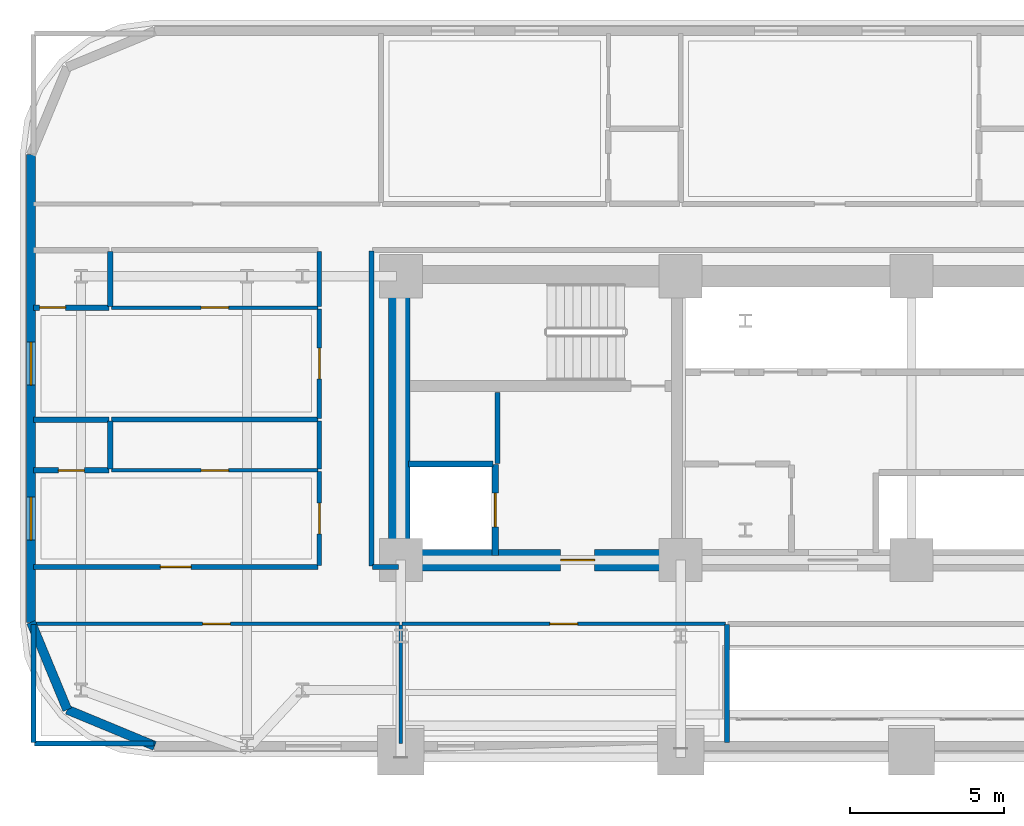
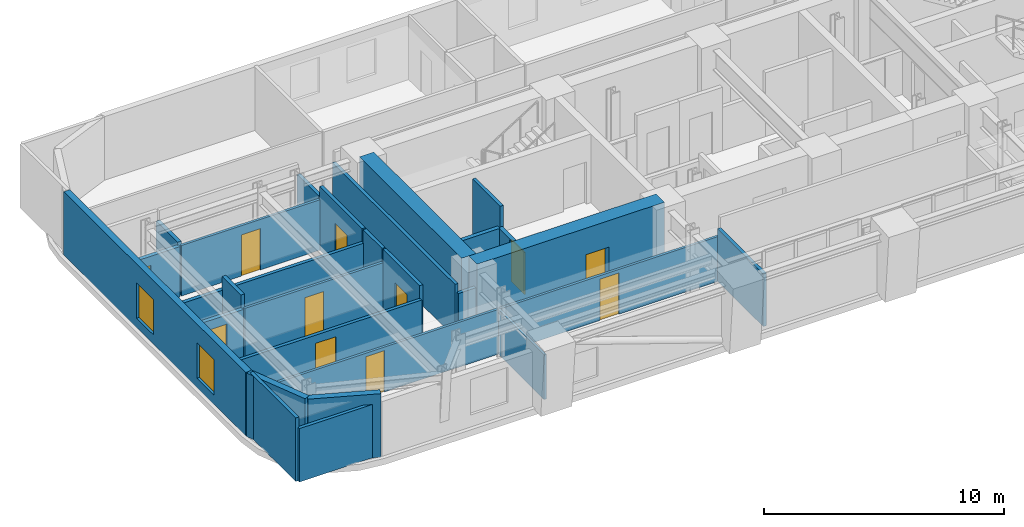
# One storey, part 8 of 15: 29 walls, 11 doors, 2 windows, 13 openings.
"""IFC4 building model written with IfcOpenShell, lengths in metres."""

from ifc_helpers import new_model, si_unit, direction, frame, frame_2d, origin, place, context, subcontext, project, spatial, rectangle, extrude, material, layer, layer_set, type_object, element, fill, save


model = new_model("IFC4")

# Units and contexts
model_context = context("Model", 3, precision=1e-05, world=origin(), true_north=direction((0.0, 1.0)))
body_context = subcontext(model_context, "Body", "Model", "MODEL_VIEW")
ifc_project = project(units=[si_unit("LENGTHUNIT", "METRE"), si_unit("AREAUNIT", "SQUARE_METRE"), si_unit("VOLUMEUNIT", "CUBIC_METRE"), si_unit("PLANEANGLEUNIT", "RADIAN"), si_unit("MASSUNIT", "GRAM", prefix="KILO")], contexts=[model_context])

# Site, building, storey
site_placement = place(None, origin())
site = spatial("IfcSite", under=ifc_project, at=site_placement, CompositionType="ELEMENT")
building_placement = place(site_placement, origin())
building = spatial("IfcBuilding", under=site, at=building_placement, Name="Zarnavel Station Tower", CompositionType="ELEMENT")
storey_placement = place(building_placement, frame((0.0, 0.0, 50.0)))
storey = spatial("IfcBuildingStorey", under=building, at=storey_placement, Name="L13", CompositionType="ELEMENT", Elevation=50.0)

# Wall, opening, door
ifc_material_1 = material(Name="Concrete C60/75", Category="concrete")
ifc_layer_1 = layer(ifc_material_1, 0.699951171875)
ifc_layer_set_1 = layer_set([ifc_layer_1], Name="CW_700")
wall_type_1 = type_object("IfcWallType", Name="CW_700", PredefinedType="SHEAR", material=ifc_layer_set_1)
wall_1_placement = place(storey_placement, frame((21.179931640625, 27.820068359375, 0.0), z_axis=(0.0, 0.0, 1.0), x_axis=(-1.0, 0.0, 0.0)))
wall_1 = element("IfcWall", 1, at=wall_1_placement, inside=storey, type_object=wall_type_1, Name="L13 Rear Core Shear Wall S-W", PredefinedType="SHEAR", context=body_context, shape_type="SweptSolid", body=[
    extrude(rectangle(XDim=9.030029296875, YDim=0.699951171875, at=frame_2d((4.51513671875, 0.0))), origin(), (0.0, 0.0, 1.0), 3.5),
])
opening_1_placement = place(wall_1_placement, frame((2.679931640625, 0.0, 0.0)))
opening_1 = element("IfcOpeningElement", 2, at=opening_1_placement, cuts=wall_1, Name="Opening FD01", PredefinedType="OPENING", context=body_context, shape_type="SweptSolid", body=[
    extrude(rectangle(XDim=1.10009765625, YDim=2.14990234375, at=frame_2d((0.550048828125, 1.074951171875))), frame((0.0, 0.35986328125, 0.0), z_axis=(0.0, -1.0, 0.0), x_axis=(1.0, 0.0, 0.0)), (0.0, 0.0, 1.0), 0.719970703125),
])
ifc_material_2 = material(Name="Painted Galvanised Steel and Hardwood Leaf", Category="steel")
door_type_1 = type_object("IfcDoorType", Name="ID_STAIR_1100", OperationType="NOTDEFINED", PredefinedType="DOOR", material=ifc_material_2)
door_1_placement = place(opening_1_placement, origin())
door_1 = element("IfcDoor", 3, at=door_1_placement, inside=storey, type_object=door_type_1, Name="L13 West Firefighting Lobby Door", OperationType="SINGLE_SWING_RIGHT", OverallHeight=2.14990234375, OverallWidth=1.10009765625, PredefinedType="DOOR", context=body_context, shape_type="SweptSolid", body=[
    extrude(rectangle(XDim=1.10009765625, YDim=2.14990234375, at=frame_2d((0.550048828125, 1.074951171875))), frame((0.0, 0.02490234375, 0.0), z_axis=(0.0, -1.0, 0.0), x_axis=(1.0, 0.0, 0.0)), (0.0, 0.0, 1.0), 0.050048828125),
])
fill(opening_1, door_1)

# Wall
wall_2_placement = place(storey_placement, frame((12.14990234375, 28.169921875, 0.0), z_axis=(0.0, 0.0, 1.0), x_axis=(0.0, 1.0, 0.0)))
element("IfcWall", 4, at=wall_2_placement, inside=storey, type_object=wall_type_1, Name="L13 Rear Core Shear Wall W", PredefinedType="SHEAR", context=body_context, shape_type="SweptSolid", body=[
    extrude(rectangle(XDim=8.530029296875, YDim=0.699951171875, at=frame_2d((4.26513671875, 0.0))), origin(), (0.0, 0.0, 1.0), 3.5),
])

# Wall, openings, windows
ifc_material_3 = material(Name="Precast concrete C45/55 (Dark Basalt Finish)", Category="masonry")
ifc_layer_2 = layer(ifc_material_3, 0.300048828125)
ifc_layer_set_2 = layer_set([ifc_layer_2], Name="EW_BASALT_300")
wall_type_2 = type_object("IfcWallType", Name="EW_BASALT_300", PredefinedType="SOLIDWALL", material=ifc_layer_set_2)
wall_3_placement = place(storey_placement, frame((0.179931640625, 25.800048828125, 0.0), z_axis=(0.0, 0.0, 1.0), x_axis=(0.0, 1.0, 0.0)))
wall_3 = element("IfcWall", 5, at=wall_3_placement, inside=storey, type_object=wall_type_2, Name="L13 Exterior Basalt Masonry Frame Wall 09", PredefinedType="SOLIDWALL", context=body_context, shape_type="SweptSolid", body=[
    extrude(rectangle(XDim=15.199951171875, YDim=0.300048828125, at=frame_2d((7.60009765625, 0.0))), origin(), (0.0, 0.0, 1.0), 3.239990234375),
])
opening_2_placement = place(wall_3_placement, frame((2.67041015625, 0.0, 0.47998046875)))
opening_2 = element("IfcOpeningElement", 6, at=opening_2_placement, cuts=wall_3, Name="Opening WN01", PredefinedType="OPENING", context=body_context, shape_type="SweptSolid", body=[
    extrude(rectangle(XDim=1.39990234375, YDim=1.800048828125, at=frame_2d((0.699951171875, 0.89990234375))), frame((0.0, 0.159912109375, 0.0), z_axis=(0.0, -1.0, 0.0), x_axis=(1.0, 0.0, 0.0)), (0.0, 0.0, 1.0), 0.320068359375),
])
opening_3_placement = place(wall_3_placement, frame((7.708984375, 0.0, 0.47998046875)))
opening_3 = element("IfcOpeningElement", 7, at=opening_3_placement, cuts=wall_3, Name="Opening WN01", PredefinedType="OPENING", context=body_context, shape_type="SweptSolid", body=[
    extrude(rectangle(XDim=1.39990234375, YDim=1.800048828125, at=frame_2d((0.699951171875, 0.89990234375))), frame((0.0, 0.159912109375, 0.0), z_axis=(0.0, -1.0, 0.0), x_axis=(1.0, 0.0, 0.0)), (0.0, 0.0, 1.0), 0.320068359375),
])
ifc_material_4 = material(Name="Thermally Broken Black Aluminium and Low-E Dark Glass", Category="aluminium")
window_type = type_object("IfcWindowType", Name="WN_1400x1800", PartitioningType="DOUBLE_PANEL_VERTICAL", PredefinedType="WINDOW", material=ifc_material_4)
window_1_placement = place(opening_2_placement, origin())
window_1 = element("IfcWindow", 8, at=window_1_placement, inside=storey, type_object=window_type, Name="L13 Recessed Facade Window 01", OverallHeight=1.800048828125, OverallWidth=1.39990234375, PartitioningType="SINGLE_PANEL", PredefinedType="WINDOW", context=body_context, shape_type="SweptSolid", body=[
    extrude(rectangle(XDim=1.39990234375, YDim=1.800048828125, at=frame_2d((0.699951171875, 0.89990234375))), frame((0.0, 0.030029296875, 0.0), z_axis=(0.0, -1.0, 0.0), x_axis=(1.0, 0.0, 0.0)), (0.0, 0.0, 1.0), 0.06005859375),
])
fill(opening_2, window_1)
window_2_placement = place(opening_3_placement, origin())
window_2 = element("IfcWindow", 9, at=window_2_placement, inside=storey, type_object=window_type, Name="L13 Recessed Facade Window 02", OverallHeight=1.800048828125, OverallWidth=1.39990234375, PartitioningType="SINGLE_PANEL", PredefinedType="WINDOW", context=body_context, shape_type="SweptSolid", body=[
    extrude(rectangle(XDim=1.39990234375, YDim=1.800048828125, at=frame_2d((0.699951171875, 0.89990234375))), frame((0.0, 0.030029296875, 0.0), z_axis=(0.0, -1.0, 0.0), x_axis=(1.0, 0.0, 0.0)), (0.0, 0.0, 1.0), 0.06005859375),
])
fill(opening_3, window_2)

# Walls
for number, where, z_axis, x_axis, name in (
    (10, (1.357421875, 22.95751953125, 0.0), (0.0, 0.0, 1.0), (-0.382704529509, 0.923870793506, 0.0), "L13 Exterior Basalt Masonry Frame Wall 10"),
    (11, (4.199951171875, 21.780029296875, 0.0), (0.0, 0.0, 1.0), (-0.923870793506, 0.382704529509, 0.0), "L13 Exterior Basalt Masonry Frame Wall 11"),
):
    element("IfcWall", number, at=place(storey_placement, frame(where, z_axis=z_axis, x_axis=x_axis)), inside=storey, type_object=wall_type_2, Name=name, PredefinedType="SOLIDWALL", context=body_context, shape_type="SweptSolid", body=[
        extrude(rectangle(XDim=3.07666015625, YDim=0.300048828125, at=frame_2d((1.538330078125, 0.0))), origin(), (0.0, 0.0, 1.0), 3.239990234375),
    ])

# Wall, opening, door
ifc_material_5 = material(Name="Gypsum Twin-Stud Acoustic Fire Partition", Category="concrete")
ifc_layer_3 = layer(ifc_material_5, 0.159912109375)
ifc_layer_set_3 = layer_set([ifc_layer_3], Name="PT_DEMISE_160")
wall_type_3 = type_object("IfcWallType", Name="PT_DEMISE_160", PredefinedType="PARTITIONING", material=ifc_layer_set_3)
wall_4_placement = place(storey_placement, frame((0.260009765625, 27.60009765625, 0.0), z_axis=(0.0, 0.0, 1.0), x_axis=(1.0, 0.0, 0.0)))
wall_4 = element("IfcWall", 12, at=wall_4_placement, inside=storey, type_object=wall_type_3, Name="L13 Partition COR-S-FNW1R", PredefinedType="PARTITIONING", context=body_context, shape_type="SweptSolid", body=[
    extrude(rectangle(XDim=9.25, YDim=0.159912109375, at=frame_2d((4.625, 0.0))), origin(), (0.0, 0.0, 1.0), 2.570068359375),
])
opening_4_placement = place(wall_4_placement, frame((4.125, 0.0, 0.0)))
opening_4 = element("IfcOpeningElement", 13, at=opening_4_placement, cuts=wall_4, Name="Opening FD02", PredefinedType="OPENING", context=body_context, shape_type="SweptSolid", body=[
    extrude(rectangle(XDim=1.0, YDim=2.14990234375, at=frame_2d((0.5, 1.074951171875))), frame((0.0, 0.08984375, 0.0), z_axis=(0.0, -1.0, 0.0), x_axis=(1.0, 0.0, 0.0)), (0.0, 0.0, 1.0), 0.179931640625),
])
ifc_material_6 = material(Name="Painted Galvanised Steel and Hardwood Leaf", Category="steel")
door_type_2 = type_object("IfcDoorType", Name="ID_ENTRY_1000", OperationType="NOTDEFINED", PredefinedType="DOOR", material=ifc_material_6)
door_2_placement = place(opening_4_placement, origin())
door_2 = element("IfcDoor", 14, at=door_2_placement, inside=storey, type_object=door_type_2, Name="L13 Door COR-S-FNW1R", OperationType="SINGLE_SWING_RIGHT", OverallHeight=2.14990234375, OverallWidth=1.0, PredefinedType="DOOR", context=body_context, shape_type="SweptSolid", body=[
    extrude(rectangle(XDim=1.0, YDim=2.14990234375, at=frame_2d((0.5, 1.074951171875))), frame((0.0, 0.02490234375, 0.0), z_axis=(0.0, -1.0, 0.0), x_axis=(1.0, 0.0, 0.0)), (0.0, 0.0, 1.0), 0.050048828125),
])
fill(opening_4, door_2)

wall_5_placement = place(storey_placement, frame((9.550048828125, 27.639892578125, 0.0), z_axis=(0.0, 0.0, 1.0), x_axis=(0.0, 1.0, 0.0)))
wall_5 = element("IfcWall", 15, at=wall_5_placement, inside=storey, type_object=wall_type_3, Name="L13 Partition COR-W-FNW1R", PredefinedType="PARTITIONING", context=body_context, shape_type="SweptSolid", body=[
    extrude(rectangle(XDim=3.06103515625, YDim=0.159912109375, at=frame_2d((1.530517578125, 0.0))), origin(), (0.0, 0.0, 1.0), 3.239990234375),
])
opening_5_placement = place(wall_5_placement, frame((1.030517578125, 0.0, 0.0)))
opening_5 = element("IfcOpeningElement", 16, at=opening_5_placement, cuts=wall_5, Name="Opening FD02", PredefinedType="OPENING", context=body_context, shape_type="SweptSolid", body=[
    extrude(rectangle(XDim=1.0, YDim=2.14990234375, at=frame_2d((0.5, 1.074951171875))), frame((0.0, 0.08984375, 0.0), z_axis=(0.0, -1.0, 0.0), x_axis=(1.0, 0.0, 0.0)), (0.0, 0.0, 1.0), 0.179931640625),
])
door_3_placement = place(opening_5_placement, origin())
door_3 = element("IfcDoor", 17, at=door_3_placement, inside=storey, type_object=door_type_2, Name="L13 Door COR-W-FNW1R", OperationType="SINGLE_SWING_RIGHT", OverallHeight=2.14990234375, OverallWidth=1.0, PredefinedType="DOOR", context=body_context, shape_type="SweptSolid", body=[
    extrude(rectangle(XDim=1.0, YDim=2.14990234375, at=frame_2d((0.5, 1.074951171875))), frame((0.0, 0.02490234375, 0.0), z_axis=(0.0, -1.0, 0.0), x_axis=(1.0, 0.0, 0.0)), (0.0, 0.0, 1.0), 0.050048828125),
])
fill(opening_5, door_3)

# Wall
wall_6_placement = place(storey_placement, frame((9.550048828125, 30.781005859375, 0.0), z_axis=(0.0, 0.0, 1.0), x_axis=(0.0, 1.0, 0.0)))
element("IfcWall", 18, at=wall_6_placement, inside=storey, type_object=wall_type_3, Name="L13 Partition COR-W-FNW1S", PredefinedType="PARTITIONING", context=body_context, shape_type="SweptSolid", body=[
    extrude(rectangle(XDim=1.570068359375, YDim=0.159912109375, at=frame_2d((0.78515625, 0.0))), origin(), (0.0, 0.0, 1.0), 3.239990234375),
])

# Wall, opening, door
wall_7_placement = place(storey_placement, frame((9.550048828125, 32.430908203125, 0.0), z_axis=(0.0, 0.0, 1.0), x_axis=(0.0, 1.0, 0.0)))
wall_7 = element("IfcWall", 19, at=wall_7_placement, inside=storey, type_object=wall_type_3, Name="L13 Partition COR-W-FNW2R", PredefinedType="PARTITIONING", context=body_context, shape_type="SweptSolid", body=[
    extrude(rectangle(XDim=3.55615234375, YDim=0.159912109375, at=frame_2d((1.778076171875, 0.0))), origin(), (0.0, 0.0, 1.0), 3.239990234375),
])
opening_6_placement = place(wall_7_placement, frame((1.278076171875, 0.0, 0.0)))
opening_6 = element("IfcOpeningElement", 20, at=opening_6_placement, cuts=wall_7, Name="Opening FD02", PredefinedType="OPENING", context=body_context, shape_type="SweptSolid", body=[
    extrude(rectangle(XDim=1.0, YDim=2.14990234375, at=frame_2d((0.5, 1.074951171875))), frame((0.0, 0.08984375, 0.0), z_axis=(0.0, -1.0, 0.0), x_axis=(1.0, 0.0, 0.0)), (0.0, 0.0, 1.0), 0.179931640625),
])
door_4_placement = place(opening_6_placement, origin())
door_4 = element("IfcDoor", 21, at=door_4_placement, inside=storey, type_object=door_type_2, Name="L13 Door COR-W-FNW2R", OperationType="SINGLE_SWING_LEFT", OverallHeight=2.14990234375, OverallWidth=1.0, PredefinedType="DOOR", context=body_context, shape_type="SweptSolid", body=[
    extrude(rectangle(XDim=1.0, YDim=2.14990234375, at=frame_2d((0.5, 1.074951171875))), frame((0.0, 0.02490234375, 0.0), z_axis=(0.0, -1.0, 0.0), x_axis=(1.0, 0.0, 0.0)), (0.0, 0.0, 1.0), 0.050048828125),
])
fill(opening_6, door_4)

# Walls
wall_8_placement = place(storey_placement, frame((9.550048828125, 36.06689453125, 0.0), z_axis=(0.0, 0.0, 1.0), x_axis=(0.0, 1.0, 0.0)))
element("IfcWall", 22, at=wall_8_placement, inside=storey, type_object=wall_type_3, Name="L13 Partition COR-W-FNW2S", PredefinedType="PARTITIONING", context=body_context, shape_type="SweptSolid", body=[
    extrude(rectangle(XDim=1.793212890625, YDim=0.159912109375, at=frame_2d((0.896484375, 0.0))), origin(), (0.0, 0.0, 1.0), 2.719970703125),
])
wall_9_placement = place(storey_placement, frame((2.800048828125, 32.39111328125, 0.0), z_axis=(0.0, 0.0, 1.0), x_axis=(1.0, 0.0, 0.0)))
element("IfcWall", 23, at=wall_9_placement, inside=storey, type_object=wall_type_3, Name="L13 Partition FNW1S-FNW2R", PredefinedType="PARTITIONING", context=body_context, shape_type="SweptSolid", body=[
    extrude(rectangle(XDim=6.7099609375, YDim=0.159912109375, at=frame_2d((3.35498046875, 0.0))), origin(), (0.0, 0.0, 1.0), 2.570068359375),
])
wall_10_placement = place(storey_placement, frame((15.35009765625, 30.9599609375, 0.0), z_axis=(0.0, 0.0, 1.0), x_axis=(0.0, 1.0, 0.0)))
element("IfcWall", 24, at=wall_10_placement, inside=storey, type_object=wall_type_3, Name="L13 Enclosure Wall FFL1", PredefinedType="PARTITIONING", context=body_context, shape_type="SweptSolid", body=[
    extrude(rectangle(XDim=2.31005859375, YDim=0.159912109375, at=frame_2d((1.155029296875, 0.0))), origin(), (0.0, 0.0, 1.0), 3.239990234375),
])
wall_11_placement = place(storey_placement, frame((11.280029296875, 27.60009765625, 0.0), z_axis=(0.0, 0.0, 1.0), x_axis=(1.0, 0.0, 0.0)))
element("IfcWall", 25, at=wall_11_placement, inside=storey, type_object=wall_type_3, Name="L13 Enclosure Wall COR-S", PredefinedType="PARTITIONING", context=body_context, shape_type="SweptSolid", body=[
    extrude(rectangle(XDim=0.840087890625, YDim=0.159912109375, at=frame_2d((0.419921875, 0.0))), origin(), (0.0, 0.0, 1.0), 2.280029296875),
])
wall_12_placement = place(storey_placement, frame((11.25, 27.6298828125, 0.0), z_axis=(0.0, 0.0, 1.0), x_axis=(0.0, 1.0, 0.0)))
element("IfcWall", 26, at=wall_12_placement, inside=storey, type_object=wall_type_3, Name="L13 Enclosure Wall COR-W", PredefinedType="PARTITIONING", context=body_context, shape_type="SweptSolid", body=[
    extrude(rectangle(XDim=10.240234375, YDim=0.159912109375, at=frame_2d((5.1201171875, 0.0))), origin(), (0.0, 0.0, 1.0), 2.719970703125),
])
wall_13_placement = place(storey_placement, frame((0.2900390625, 21.860107421875, 0.0), z_axis=(0.0, 0.0, 1.0), x_axis=(1.0, 0.0, 0.0)))
element("IfcWall", 27, at=wall_13_placement, inside=storey, type_object=wall_type_3, Name="L13 Enclosure Wall Z1BIZ", PredefinedType="PARTITIONING", context=body_context, shape_type="SweptSolid", body=[
    extrude(rectangle(XDim=3.8798828125, YDim=0.159912109375, at=frame_2d((1.93994140625, 0.0))), origin(), (0.0, 0.0, 1.0), 2.719970703125),
])
wall_14_placement = place(storey_placement, frame((0.260009765625, 21.889892578125, 0.0), z_axis=(0.0, 0.0, 1.0), x_axis=(0.0, 1.0, 0.0)))
element("IfcWall", 28, at=wall_14_placement, inside=storey, type_object=wall_type_3, Name="L13 Enclosure Wall Z1BIZ", PredefinedType="PARTITIONING", context=body_context, shape_type="SweptSolid", body=[
    extrude(rectangle(XDim=3.830078125, YDim=0.159912109375, at=frame_2d((1.9150390625, 0.0))), origin(), (0.0, 0.0, 1.0), 3.239990234375),
])
wall_15_placement = place(storey_placement, frame((22.800048828125, 21.889892578125, 0.0), z_axis=(0.0, 0.0, 1.0), x_axis=(0.0, 1.0, 0.0)))
element("IfcWall", 29, at=wall_15_placement, inside=storey, type_object=wall_type_3, Name="L13 Enclosure Wall Z1BRD", PredefinedType="PARTITIONING", context=body_context, shape_type="SweptSolid", body=[
    extrude(rectangle(XDim=3.830078125, YDim=0.159912109375, at=frame_2d((1.9150390625, 0.0))), origin(), (0.0, 0.0, 1.0), 2.679931640625),
])

# Wall, opening, door
ifc_material_7 = material(Name="Gypsum Metal-Stud Interior Partition", Category="concrete")
ifc_layer_4 = layer(ifc_material_7, 0.1201171875)
ifc_layer_set_4 = layer_set([ifc_layer_4], Name="PT_ROOM_120")
wall_type_4 = type_object("IfcWallType", Name="PT_ROOM_120", PredefinedType="PARTITIONING", material=ifc_layer_set_4)
wall_16_placement = place(storey_placement, frame((0.260009765625, 25.75, 0.0), z_axis=(0.0, 0.0, 1.0), x_axis=(1.0, 0.0, 0.0)))
wall_16 = element("IfcWall", 30, at=wall_16_placement, inside=storey, type_object=wall_type_4, Name="L13 Partition COR-S-Z1BIZ", PredefinedType="PARTITIONING", context=body_context, shape_type="SweptSolid", body=[
    extrude(rectangle(XDim=11.89990234375, YDim=0.1201171875, at=frame_2d((5.949951171875, 0.0))), origin(), (0.0, 0.0, 1.0), 2.280029296875),
])
opening_7_placement = place(wall_16_placement, frame((5.5, 0.0, 0.0)))
opening_7 = element("IfcOpeningElement", 31, at=opening_7_placement, cuts=wall_16, Name="Opening ID01", PredefinedType="OPENING", context=body_context, shape_type="SweptSolid", body=[
    extrude(rectangle(XDim=0.89990234375, YDim=2.10009765625, at=frame_2d((0.449951171875, 1.050048828125))), frame((0.0, 0.070068359375, 0.0), z_axis=(0.0, -1.0, 0.0), x_axis=(1.0, 0.0, 0.0)), (0.0, 0.0, 1.0), 0.14013671875),
])
ifc_material_8 = material(Name="Painted Galvanised Steel and Hardwood Leaf", Category="steel")
door_type_3 = type_object("IfcDoorType", Name="ID_ROOM_900", OperationType="NOTDEFINED", PredefinedType="DOOR", material=ifc_material_8)
door_5_placement = place(opening_7_placement, origin())
door_5 = element("IfcDoor", 32, at=door_5_placement, inside=storey, type_object=door_type_3, Name="L13 Door COR-S-Z1BIZ", OperationType="SINGLE_SWING_RIGHT", OverallHeight=2.10009765625, OverallWidth=0.89990234375, PredefinedType="DOOR", context=body_context, shape_type="SweptSolid", body=[
    extrude(rectangle(XDim=0.89990234375, YDim=2.10009765625, at=frame_2d((0.449951171875, 1.050048828125))), frame((0.0, 0.02490234375, 0.0), z_axis=(0.0, -1.0, 0.0), x_axis=(1.0, 0.0, 0.0)), (0.0, 0.0, 1.0), 0.050048828125),
])
fill(opening_7, door_5)

wall_17_placement = place(storey_placement, frame((12.239990234375, 25.75, 0.0), z_axis=(0.0, 0.0, 1.0), x_axis=(1.0, 0.0, 0.0)))
wall_17 = element("IfcWall", 33, at=wall_17_placement, inside=storey, type_object=wall_type_4, Name="L13 Partition COR-S-Z1BRD", PredefinedType="PARTITIONING", context=body_context, shape_type="SweptSolid", body=[
    extrude(rectangle(XDim=10.52001953125, YDim=0.1201171875, at=frame_2d((5.260009765625, 0.0))), origin(), (0.0, 0.0, 1.0), 2.280029296875),
])
opening_8_placement = place(wall_17_placement, frame((4.81005859375, 0.0, 0.0)))
opening_8 = element("IfcOpeningElement", 34, at=opening_8_placement, cuts=wall_17, Name="Opening ID01", PredefinedType="OPENING", context=body_context, shape_type="SweptSolid", body=[
    extrude(rectangle(XDim=0.89990234375, YDim=2.10009765625, at=frame_2d((0.449951171875, 1.050048828125))), frame((0.0, 0.070068359375, 0.0), z_axis=(0.0, -1.0, 0.0), x_axis=(1.0, 0.0, 0.0)), (0.0, 0.0, 1.0), 0.14013671875),
])
door_6_placement = place(opening_8_placement, origin())
door_6 = element("IfcDoor", 35, at=door_6_placement, inside=storey, type_object=door_type_3, Name="L13 Door COR-S-Z1BRD", OperationType="SINGLE_SWING_LEFT", OverallHeight=2.10009765625, OverallWidth=0.89990234375, PredefinedType="DOOR", context=body_context, shape_type="SweptSolid", body=[
    extrude(rectangle(XDim=0.89990234375, YDim=2.10009765625, at=frame_2d((0.449951171875, 1.050048828125))), frame((0.0, 0.02490234375, 0.0), z_axis=(0.0, -1.0, 0.0), x_axis=(1.0, 0.0, 0.0)), (0.0, 0.0, 1.0), 0.050048828125),
])
fill(opening_8, door_6)

wall_18_placement = place(storey_placement, frame((2.800048828125, 30.740966796875, 0.0), z_axis=(0.0, 0.0, 1.0), x_axis=(1.0, 0.0, 0.0)))
wall_18 = element("IfcWall", 36, at=wall_18_placement, inside=storey, type_object=wall_type_4, Name="L13 Partition FNW1R-FNW1S", PredefinedType="PARTITIONING", context=body_context, shape_type="SweptSolid", body=[
    extrude(rectangle(XDim=6.7099609375, YDim=0.1201171875, at=frame_2d((3.35498046875, 0.0))), origin(), (0.0, 0.0, 1.0), 2.570068359375),
])
opening_9_placement = place(wall_18_placement, frame((2.905029296875, 0.0, 0.0)))
opening_9 = element("IfcOpeningElement", 37, at=opening_9_placement, cuts=wall_18, Name="Opening ID01", PredefinedType="OPENING", context=body_context, shape_type="SweptSolid", body=[
    extrude(rectangle(XDim=0.89990234375, YDim=2.10009765625, at=frame_2d((0.449951171875, 1.050048828125))), frame((0.0, 0.070068359375, 0.0), z_axis=(0.0, -1.0, 0.0), x_axis=(1.0, 0.0, 0.0)), (0.0, 0.0, 1.0), 0.14013671875),
])
door_7_placement = place(opening_9_placement, origin())
door_7 = element("IfcDoor", 38, at=door_7_placement, inside=storey, type_object=door_type_3, Name="L13 Door FNW1R-FNW1S", OperationType="SINGLE_SWING_RIGHT", OverallHeight=2.10009765625, OverallWidth=0.89990234375, PredefinedType="DOOR", context=body_context, shape_type="SweptSolid", body=[
    extrude(rectangle(XDim=0.89990234375, YDim=2.10009765625, at=frame_2d((0.449951171875, 1.050048828125))), frame((0.0, 0.02490234375, 0.0), z_axis=(0.0, -1.0, 0.0), x_axis=(1.0, 0.0, 0.0)), (0.0, 0.0, 1.0), 0.050048828125),
])
fill(opening_9, door_7)

wall_19_placement = place(storey_placement, frame((2.800048828125, 36.027099609375, 0.0), z_axis=(0.0, 0.0, 1.0), x_axis=(1.0, 0.0, 0.0)))
wall_19 = element("IfcWall", 39, at=wall_19_placement, inside=storey, type_object=wall_type_4, Name="L13 Partition FNW2R-FNW2S", PredefinedType="PARTITIONING", context=body_context, shape_type="SweptSolid", body=[
    extrude(rectangle(XDim=6.7099609375, YDim=0.1201171875, at=frame_2d((3.35498046875, 0.0))), origin(), (0.0, 0.0, 1.0), 2.570068359375),
])
opening_10_placement = place(wall_19_placement, frame((2.905029296875, 0.0, 0.0)))
opening_10 = element("IfcOpeningElement", 40, at=opening_10_placement, cuts=wall_19, Name="Opening ID01", PredefinedType="OPENING", context=body_context, shape_type="SweptSolid", body=[
    extrude(rectangle(XDim=0.89990234375, YDim=2.10009765625, at=frame_2d((0.449951171875, 1.050048828125))), frame((0.0, 0.070068359375, 0.0), z_axis=(0.0, -1.0, 0.0), x_axis=(1.0, 0.0, 0.0)), (0.0, 0.0, 1.0), 0.14013671875),
])
door_8_placement = place(opening_10_placement, origin())
door_8 = element("IfcDoor", 41, at=door_8_placement, inside=storey, type_object=door_type_3, Name="L13 Door FNW2R-FNW2S", OperationType="SINGLE_SWING_RIGHT", OverallHeight=2.10009765625, OverallWidth=0.89990234375, PredefinedType="DOOR", context=body_context, shape_type="SweptSolid", body=[
    extrude(rectangle(XDim=0.89990234375, YDim=2.10009765625, at=frame_2d((0.449951171875, 1.050048828125))), frame((0.0, 0.02490234375, 0.0), z_axis=(0.0, -1.0, 0.0), x_axis=(1.0, 0.0, 0.0)), (0.0, 0.0, 1.0), 0.050048828125),
])
fill(opening_10, door_8)

# Wall
wall_20_placement = place(storey_placement, frame((12.199951171875, 21.860107421875, 0.0), z_axis=(0.0, 0.0, 1.0), x_axis=(0.0, 1.0, 0.0)))
element("IfcWall", 42, at=wall_20_placement, inside=storey, type_object=wall_type_4, Name="L13 Partition Z1BIZ-Z1BRD", PredefinedType="PARTITIONING", context=body_context, shape_type="SweptSolid", body=[
    extrude(rectangle(XDim=3.849853515625, YDim=0.1201171875, at=frame_2d((1.9248046875, 0.0))), origin(), (0.0, 0.0, 1.0), 2.280029296875),
])

# Wall, opening, door
ifc_material_9 = material(Name="Precast concrete C45/55 (Fire Shaft Blockwork)", Category="masonry")
ifc_layer_5 = layer(ifc_material_9, 0.199951171875)
ifc_layer_set_5 = layer_set([ifc_layer_5], Name="PT_SHAFT_200")
wall_type_5 = type_object("IfcWallType", Name="PT_SHAFT_200", PredefinedType="PARTITIONING", material=ifc_layer_set_5)
wall_21_placement = place(storey_placement, frame((15.27001953125, 27.969970703125, 0.0), z_axis=(0.0, 0.0, 1.0), x_axis=(0.0, 1.0, 0.0)))
wall_21 = element("IfcWall", 43, at=wall_21_placement, inside=storey, type_object=wall_type_5, Name="L13 Lift FFL-01 Shaft Front Wall", PredefinedType="PARTITIONING", context=body_context, shape_type="SweptSolid", body=[
    extrude(rectangle(XDim=2.9599609375, YDim=0.199951171875, at=frame_2d((1.47998046875, 0.0))), origin(), (0.0, 0.0, 1.0), 2.2119140625),
])
opening_11_placement = place(wall_21_placement, frame((0.929931640625, 0.0, 0.0)))
opening_11 = element("IfcOpeningElement", 44, at=opening_11_placement, cuts=wall_21, Name="Opening LD01", PredefinedType="OPENING", context=body_context, shape_type="SweptSolid", body=[
    extrude(rectangle(XDim=1.10009765625, YDim=2.14990234375, at=frame_2d((0.550048828125, 1.074951171875))), frame((0.0, 0.10986328125, 0.0), z_axis=(0.0, -1.0, 0.0), x_axis=(1.0, 0.0, 0.0)), (0.0, 0.0, 1.0), 0.219970703125),
])
ifc_material_10 = material(Name="Painted Galvanised Steel and Hardwood Leaf", Category="steel")
door_type_4 = type_object("IfcDoorType", Name="LD_FF_1100", OperationType="DOUBLE_DOOR_SLIDING", PredefinedType="DOOR", material=ifc_material_10)
door_9_placement = place(opening_11_placement, origin())
door_9 = element("IfcDoor", 45, at=door_9_placement, inside=storey, type_object=door_type_4, Name="L13 Lift FFL-01 Sliding Landing Door", OperationType="DOUBLE_DOOR_SLIDING", OverallHeight=2.14990234375, OverallWidth=1.10009765625, PredefinedType="DOOR", context=body_context, shape_type="SweptSolid", body=[
    extrude(rectangle(XDim=1.10009765625, YDim=2.14990234375, at=frame_2d((0.550048828125, 1.074951171875))), frame((0.0, 0.02490234375, 0.0), z_axis=(0.0, -1.0, 0.0), x_axis=(1.0, 0.0, 0.0)), (0.0, 0.0, 1.0), 0.050048828125),
])
fill(opening_11, door_9)

# Wall
wall_22_placement = place(storey_placement, frame((12.449951171875, 30.949951171875, 0.0), z_axis=(0.0, 0.0, 1.0), x_axis=(1.0, 0.0, 0.0)))
element("IfcWall", 46, at=wall_22_placement, inside=storey, type_object=wall_type_5, Name="L13 Lift FFL-01 North Shaft Wall", PredefinedType="PARTITIONING", context=body_context, shape_type="SweptSolid", body=[
    extrude(rectangle(XDim=2.75, YDim=0.199951171875, at=frame_2d((1.375, 0.0))), origin(), (0.0, 0.0, 1.0), 2.2119140625),
])

# Wall, opening, door
ifc_material_11 = material(Name="Moisture-Resistant Plumbing Chase Wall", Category="concrete")
ifc_layer_6 = layer(ifc_material_11, 0.179931640625)
ifc_layer_set_6 = layer_set([ifc_layer_6], Name="PW_PLUMB_180")
wall_type_6 = type_object("IfcWallType", Name="PW_PLUMB_180", PredefinedType="PLUMBINGWALL", material=ifc_layer_set_6)
wall_23_placement = place(storey_placement, frame((0.260009765625, 30.740966796875, 0.0), z_axis=(0.0, 0.0, 1.0), x_axis=(1.0, 0.0, 0.0)))
wall_23 = element("IfcWall", 47, at=wall_23_placement, inside=storey, type_object=wall_type_6, Name="L13 Partition FNW1R-FNW1B", PredefinedType="PLUMBINGWALL", context=body_context, shape_type="SweptSolid", body=[
    extrude(rectangle(XDim=2.4599609375, YDim=0.179931640625, at=frame_2d((1.22998046875, 0.0))), origin(), (0.0, 0.0, 1.0), 2.570068359375),
])
opening_12_placement = place(wall_23_placement, frame((0.804931640625, 0.0, 0.0)))
opening_12 = element("IfcOpeningElement", 48, at=opening_12_placement, cuts=wall_23, Name="Opening ID02", PredefinedType="OPENING", context=body_context, shape_type="SweptSolid", body=[
    extrude(rectangle(XDim=0.85009765625, YDim=2.10009765625, at=frame_2d((0.425048828125, 1.050048828125))), frame((0.0, 0.099853515625, 0.0), z_axis=(0.0, -1.0, 0.0), x_axis=(1.0, 0.0, 0.0)), (0.0, 0.0, 1.0), 0.199951171875),
])
ifc_material_12 = material(Name="Painted Galvanised Steel and Hardwood Leaf", Category="steel")
door_type_5 = type_object("IfcDoorType", Name="ID_BATH_850", OperationType="NOTDEFINED", PredefinedType="DOOR", material=ifc_material_12)
door_10_placement = place(opening_12_placement, origin())
door_10 = element("IfcDoor", 49, at=door_10_placement, inside=storey, type_object=door_type_5, Name="L13 Door FNW1R-FNW1B", OperationType="SINGLE_SWING_LEFT", OverallHeight=2.10009765625, OverallWidth=0.85009765625, PredefinedType="DOOR", context=body_context, shape_type="SweptSolid", body=[
    extrude(rectangle(XDim=0.85009765625, YDim=2.10009765625, at=frame_2d((0.425048828125, 1.050048828125))), frame((0.0, 0.02490234375, 0.0), z_axis=(0.0, -1.0, 0.0), x_axis=(1.0, 0.0, 0.0)), (0.0, 0.0, 1.0), 0.050048828125),
])
fill(opening_12, door_10)

# Walls
wall_24_placement = place(storey_placement, frame((2.760009765625, 30.781005859375, 0.0), z_axis=(0.0, 0.0, 1.0), x_axis=(0.0, 1.0, 0.0)))
element("IfcWall", 50, at=wall_24_placement, inside=storey, type_object=wall_type_6, Name="L13 Partition FNW1B-FNW1S", PredefinedType="PLUMBINGWALL", context=body_context, shape_type="SweptSolid", body=[
    extrude(rectangle(XDim=1.570068359375, YDim=0.179931640625, at=frame_2d((0.78515625, 0.0))), origin(), (0.0, 0.0, 1.0), 3.239990234375),
])
wall_25_placement = place(storey_placement, frame((0.260009765625, 32.39111328125, 0.0), z_axis=(0.0, 0.0, 1.0), x_axis=(1.0, 0.0, 0.0)))
element("IfcWall", 51, at=wall_25_placement, inside=storey, type_object=wall_type_6, Name="L13 Partition FNW1B-FNW2R", PredefinedType="PLUMBINGWALL", context=body_context, shape_type="SweptSolid", body=[
    extrude(rectangle(XDim=2.4599609375, YDim=0.179931640625, at=frame_2d((1.22998046875, 0.0))), origin(), (0.0, 0.0, 1.0), 2.570068359375),
])

# Wall, opening, door
wall_26_placement = place(storey_placement, frame((0.260009765625, 36.027099609375, 0.0), z_axis=(0.0, 0.0, 1.0), x_axis=(1.0, 0.0, 0.0)))
wall_26 = element("IfcWall", 52, at=wall_26_placement, inside=storey, type_object=wall_type_6, Name="L13 Partition FNW2R-FNW2B", PredefinedType="PLUMBINGWALL", context=body_context, shape_type="SweptSolid", body=[
    extrude(rectangle(XDim=2.4599609375, YDim=0.179931640625, at=frame_2d((1.22998046875, 0.0))), origin(), (0.0, 0.0, 1.0), 2.570068359375),
])
opening_13_placement = place(wall_26_placement, frame((0.1953125, 0.0, 0.0)))
opening_13 = element("IfcOpeningElement", 53, at=opening_13_placement, cuts=wall_26, Name="Opening ID02", PredefinedType="OPENING", context=body_context, shape_type="SweptSolid", body=[
    extrude(rectangle(XDim=0.85009765625, YDim=2.10009765625, at=frame_2d((0.425048828125, 1.050048828125))), frame((0.0, 0.099853515625, 0.0), z_axis=(0.0, -1.0, 0.0), x_axis=(1.0, 0.0, 0.0)), (0.0, 0.0, 1.0), 0.199951171875),
])
door_11_placement = place(opening_13_placement, origin())
door_11 = element("IfcDoor", 54, at=door_11_placement, inside=storey, type_object=door_type_5, Name="L13 Door FNW2R-FNW2B", OperationType="SINGLE_SWING_LEFT", OverallHeight=2.10009765625, OverallWidth=0.85009765625, PredefinedType="DOOR", context=body_context, shape_type="SweptSolid", body=[
    extrude(rectangle(XDim=0.85009765625, YDim=2.10009765625, at=frame_2d((0.425048828125, 1.050048828125))), frame((0.0, 0.02490234375, 0.0), z_axis=(0.0, -1.0, 0.0), x_axis=(1.0, 0.0, 0.0)), (0.0, 0.0, 1.0), 0.050048828125),
])
fill(opening_13, door_11)

# Wall
wall_27_placement = place(storey_placement, frame((2.760009765625, 36.06689453125, 0.0), z_axis=(0.0, 0.0, 1.0), x_axis=(0.0, 1.0, 0.0)))
element("IfcWall", 55, at=wall_27_placement, inside=storey, type_object=wall_type_6, Name="L13 Partition FNW2B-FNW2S", PredefinedType="PLUMBINGWALL", context=body_context, shape_type="SweptSolid", body=[
    extrude(rectangle(XDim=1.793212890625, YDim=0.179931640625, at=frame_2d((0.896484375, 0.0))), origin(), (0.0, 0.0, 1.0), 2.719970703125),
])

save(model, "model.ifc")
